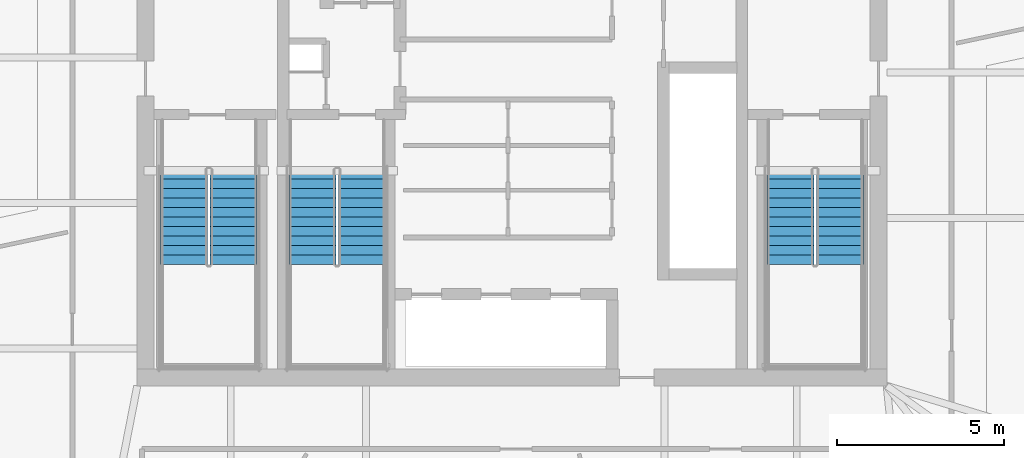
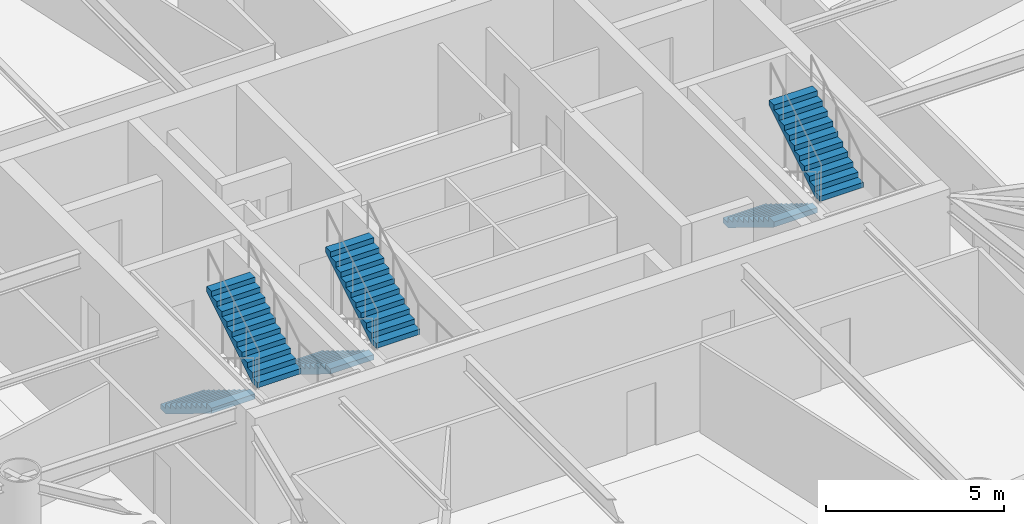
# One storey, part 18 of 22: 6 stair flights, 3 elements without a shape of their own.
"""IFC4 building model written with IfcOpenShell, lengths in metres."""

from ifc_helpers import new_model, si_unit, direction, frame, origin, place, context, subcontext, project, spatial, polyline, outline, extrude, material, type_object, element, aggregate, save


model = new_model("IFC4")

# Units and contexts
model_context = context("Model", 3, precision=1e-05, world=origin(), true_north=direction((0.0, 1.0)))
body_context = subcontext(model_context, "Body", "Model", "MODEL_VIEW")
ifc_project = project(units=[si_unit("LENGTHUNIT", "METRE"), si_unit("AREAUNIT", "SQUARE_METRE"), si_unit("VOLUMEUNIT", "CUBIC_METRE"), si_unit("PLANEANGLEUNIT", "RADIAN"), si_unit("MASSUNIT", "GRAM", prefix="KILO")], contexts=[model_context])

# Site, building, storey
site_placement = place(None, origin())
site = spatial("IfcSite", under=ifc_project, at=site_placement, CompositionType="ELEMENT")
building_placement = place(site_placement, origin())
building = spatial("IfcBuilding", under=site, at=building_placement, Name="Bramvorn Convention Spire", CompositionType="ELEMENT")
storey_placement = place(building_placement, frame((0.0, 0.0, 221.25)))
storey = spatial("IfcBuildingStorey", under=building, at=storey_placement, Name="L56", CompositionType="ELEMENT", Elevation=221.25)

# Stair, stair flights
ifc_material_1 = material(Name="Concrete C40/50 Precast Stair", Category="concrete")
stair_type = type_object("IfcStairType", Name="ST-TOWER-1550", PredefinedType="HALF_TURN_STAIR", material=ifc_material_1)
stair_1_placement = place(storey_placement, origin())
stair_1 = element("IfcStair", 1, at=stair_1_placement, inside=storey, type_object=stair_type, Name="L56 Protected Exit Stair ST1", PredefinedType="HALF_TURN_STAIR")
ifc_material_2 = material(Name="Concrete C40/50 Precast Stair Flight", Category="concrete")
stair_flight_type = type_object("IfcStairFlightType", Name="STF-TOWER-1550", PredefinedType="STRAIGHT", material=ifc_material_2)
stair_flight_1_placement = place(storey_placement, frame((28.155029296875, 25.050048828125, 0.0), z_axis=(0.0, 0.0, 1.0), x_axis=(0.0, -1.0, 0.0)))
stair_flight_1 = element("IfcStairFlight", 2, at=stair_flight_1_placement, type_object=stair_flight_type, Name="ST1 flight 1", NumberOfRisers=11, NumberOfTreads=10, PredefinedType="STRAIGHT", RiserHeight=0.175, TreadLength=0.285, context=body_context, shape_type="SweptSolid", body=[
    extrude(outline(polyline([(0.0, 0.0), (0.0, 0.175048828125), (0.284912109375, 0.175048828125), (0.284912109375, 0.35009765625), (0.570068359375, 0.35009765625), (0.570068359375, 0.52490234375), (0.85498046875, 0.52490234375), (0.85498046875, 0.699951171875), (1.139892578125, 0.699951171875), (1.139892578125, 0.875), (1.425048828125, 0.875), (1.425048828125, 1.050048828125), (1.7099609375, 1.050048828125), (1.7099609375, 1.22509765625), (1.9951171875, 1.22509765625), (1.9951171875, 1.39990234375), (2.280029296875, 1.39990234375), (2.280029296875, 1.574951171875), (2.56494140625, 1.574951171875), (2.56494140625, 1.75), (2.85009765625, 1.75), (2.85009765625, 1.925048828125), (2.85009765625, 1.573974609375), (0.286376953125, 0.0), (0.0, 0.0)])), frame((0.0, 0.705078125, 0.0), z_axis=(0.0, -1.0, 0.0), x_axis=(1.0, 0.0, 0.0)), (0.0, 0.0, 1.0), 1.409912109375),
])
stair_flight_2_placement = place(storey_placement, frame((29.64501953125, 22.199951171875, 1.925048828125), z_axis=(0.0, 0.0, 1.0), x_axis=(0.0, 1.0, 0.0)))
stair_flight_2 = element("IfcStairFlight", 3, at=stair_flight_2_placement, type_object=stair_flight_type, Name="ST1 flight 2", NumberOfRisers=11, NumberOfTreads=10, PredefinedType="STRAIGHT", RiserHeight=0.175, TreadLength=0.285, context=body_context, shape_type="SweptSolid", body=[
    extrude(outline(polyline([(0.0, 0.0), (0.0, 0.175048828125), (0.284912109375, 0.175048828125), (0.284912109375, 0.35009765625), (0.570068359375, 0.35009765625), (0.570068359375, 0.52490234375), (0.85498046875, 0.52490234375), (0.85498046875, 0.699951171875), (1.139892578125, 0.699951171875), (1.139892578125, 0.875), (1.425048828125, 0.875), (1.425048828125, 1.050048828125), (1.7099609375, 1.050048828125), (1.7099609375, 1.22509765625), (1.9951171875, 1.22509765625), (1.9951171875, 1.39990234375), (2.280029296875, 1.39990234375), (2.280029296875, 1.574951171875), (2.56494140625, 1.574951171875), (2.56494140625, 1.75), (2.85009765625, 1.75), (2.85009765625, 1.925048828125), (2.85009765625, 1.573974609375), (0.286376953125, 0.0), (0.0, 0.0)])), frame((0.0, 0.705078125, 0.0), z_axis=(0.0, -1.0, 0.0), x_axis=(1.0, 0.0, 0.0)), (0.0, 0.0, 1.0), 1.409912109375),
])
aggregate(stair_1, [stair_flight_1, stair_flight_2])

stair_2_placement = place(storey_placement, origin())
stair_2 = element("IfcStair", 4, at=stair_2_placement, inside=storey, type_object=stair_type, Name="L56 Protected Exit Stair ST2", PredefinedType="HALF_TURN_STAIR")
stair_flight_3_placement = place(storey_placement, frame((46.35498046875, 25.050048828125, 0.0), z_axis=(0.0, 0.0, 1.0), x_axis=(0.0, -1.0, 0.0)))
stair_flight_3 = element("IfcStairFlight", 5, at=stair_flight_3_placement, type_object=stair_flight_type, Name="ST2 flight 1", NumberOfRisers=11, NumberOfTreads=10, PredefinedType="STRAIGHT", RiserHeight=0.175, TreadLength=0.285, context=body_context, shape_type="SweptSolid", body=[
    extrude(outline(polyline([(0.0, 0.0), (0.0, 0.175048828125), (0.284912109375, 0.175048828125), (0.284912109375, 0.35009765625), (0.570068359375, 0.35009765625), (0.570068359375, 0.52490234375), (0.85498046875, 0.52490234375), (0.85498046875, 0.699951171875), (1.139892578125, 0.699951171875), (1.139892578125, 0.875), (1.425048828125, 0.875), (1.425048828125, 1.050048828125), (1.7099609375, 1.050048828125), (1.7099609375, 1.22509765625), (1.9951171875, 1.22509765625), (1.9951171875, 1.39990234375), (2.280029296875, 1.39990234375), (2.280029296875, 1.574951171875), (2.56494140625, 1.574951171875), (2.56494140625, 1.75), (2.85009765625, 1.75), (2.85009765625, 1.925048828125), (2.85009765625, 1.573974609375), (0.286376953125, 0.0), (0.0, 0.0)])), frame((0.0, 0.705078125, 0.0), z_axis=(0.0, -1.0, 0.0), x_axis=(1.0, 0.0, 0.0)), (0.0, 0.0, 1.0), 1.409912109375),
])
stair_flight_4_placement = place(storey_placement, frame((47.844970703125, 22.199951171875, 1.925048828125), z_axis=(0.0, 0.0, 1.0), x_axis=(0.0, 1.0, 0.0)))
stair_flight_4 = element("IfcStairFlight", 6, at=stair_flight_4_placement, type_object=stair_flight_type, Name="ST2 flight 2", NumberOfRisers=11, NumberOfTreads=10, PredefinedType="STRAIGHT", RiserHeight=0.175, TreadLength=0.285, context=body_context, shape_type="SweptSolid", body=[
    extrude(outline(polyline([(0.0, 0.0), (0.0, 0.175048828125), (0.284912109375, 0.175048828125), (0.284912109375, 0.35009765625), (0.570068359375, 0.35009765625), (0.570068359375, 0.52490234375), (0.85498046875, 0.52490234375), (0.85498046875, 0.699951171875), (1.139892578125, 0.699951171875), (1.139892578125, 0.875), (1.425048828125, 0.875), (1.425048828125, 1.050048828125), (1.7099609375, 1.050048828125), (1.7099609375, 1.22509765625), (1.9951171875, 1.22509765625), (1.9951171875, 1.39990234375), (2.280029296875, 1.39990234375), (2.280029296875, 1.574951171875), (2.56494140625, 1.574951171875), (2.56494140625, 1.75), (2.85009765625, 1.75), (2.85009765625, 1.925048828125), (2.85009765625, 1.573974609375), (0.286376953125, 0.0), (0.0, 0.0)])), frame((0.0, 0.705078125, 0.0), z_axis=(0.0, -1.0, 0.0), x_axis=(1.0, 0.0, 0.0)), (0.0, 0.0, 1.0), 1.409912109375),
])
aggregate(stair_2, [stair_flight_3, stair_flight_4])

stair_3_placement = place(storey_placement, origin())
stair_3 = element("IfcStair", 7, at=stair_3_placement, inside=storey, type_object=stair_type, Name="L56 Protected Exit Stair ST3", PredefinedType="HALF_TURN_STAIR")
stair_flight_5_placement = place(storey_placement, frame((32.0048828125, 25.050048828125, 0.0), z_axis=(0.0, 0.0, 1.0), x_axis=(0.0, -1.0, 0.0)))
stair_flight_5 = element("IfcStairFlight", 8, at=stair_flight_5_placement, type_object=stair_flight_type, Name="ST3 flight 1", NumberOfRisers=11, NumberOfTreads=10, PredefinedType="STRAIGHT", RiserHeight=0.175, TreadLength=0.285, context=body_context, shape_type="SweptSolid", body=[
    extrude(outline(polyline([(0.0, 0.0), (0.0, 0.175048828125), (0.284912109375, 0.175048828125), (0.284912109375, 0.35009765625), (0.570068359375, 0.35009765625), (0.570068359375, 0.52490234375), (0.85498046875, 0.52490234375), (0.85498046875, 0.699951171875), (1.139892578125, 0.699951171875), (1.139892578125, 0.875), (1.425048828125, 0.875), (1.425048828125, 1.050048828125), (1.7099609375, 1.050048828125), (1.7099609375, 1.22509765625), (1.9951171875, 1.22509765625), (1.9951171875, 1.39990234375), (2.280029296875, 1.39990234375), (2.280029296875, 1.574951171875), (2.56494140625, 1.574951171875), (2.56494140625, 1.75), (2.85009765625, 1.75), (2.85009765625, 1.925048828125), (2.85009765625, 1.573974609375), (0.286376953125, 0.0), (0.0, 0.0)])), frame((0.0, 0.705078125, 0.0), z_axis=(0.0, -1.0, 0.0), x_axis=(1.0, 0.0, 0.0)), (0.0, 0.0, 1.0), 1.409912109375),
])
stair_flight_6_placement = place(storey_placement, frame((33.4951171875, 22.199951171875, 1.925048828125), z_axis=(0.0, 0.0, 1.0), x_axis=(0.0, 1.0, 0.0)))
stair_flight_6 = element("IfcStairFlight", 9, at=stair_flight_6_placement, type_object=stair_flight_type, Name="ST3 flight 2", NumberOfRisers=11, NumberOfTreads=10, PredefinedType="STRAIGHT", RiserHeight=0.175, TreadLength=0.285, context=body_context, shape_type="SweptSolid", body=[
    extrude(outline(polyline([(0.0, 0.0), (0.0, 0.175048828125), (0.284912109375, 0.175048828125), (0.284912109375, 0.35009765625), (0.570068359375, 0.35009765625), (0.570068359375, 0.52490234375), (0.85498046875, 0.52490234375), (0.85498046875, 0.699951171875), (1.139892578125, 0.699951171875), (1.139892578125, 0.875), (1.425048828125, 0.875), (1.425048828125, 1.050048828125), (1.7099609375, 1.050048828125), (1.7099609375, 1.22509765625), (1.9951171875, 1.22509765625), (1.9951171875, 1.39990234375), (2.280029296875, 1.39990234375), (2.280029296875, 1.574951171875), (2.56494140625, 1.574951171875), (2.56494140625, 1.75), (2.85009765625, 1.75), (2.85009765625, 1.925048828125), (2.85009765625, 1.573974609375), (0.286376953125, 0.0), (0.0, 0.0)])), frame((0.0, 0.705078125, 0.0), z_axis=(0.0, -1.0, 0.0), x_axis=(1.0, 0.0, 0.0)), (0.0, 0.0, 1.0), 1.409912109375),
])
aggregate(stair_3, [stair_flight_5, stair_flight_6])

save(model, "model.ifc")
